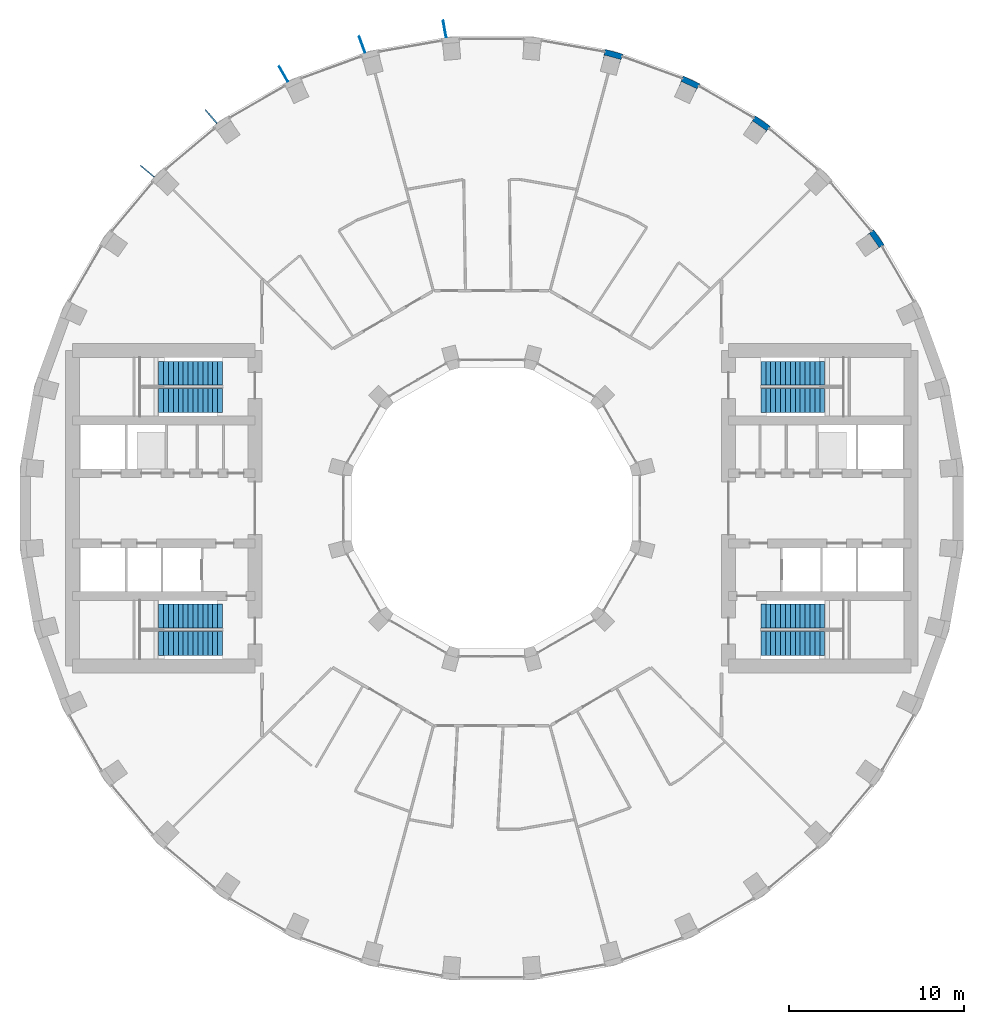
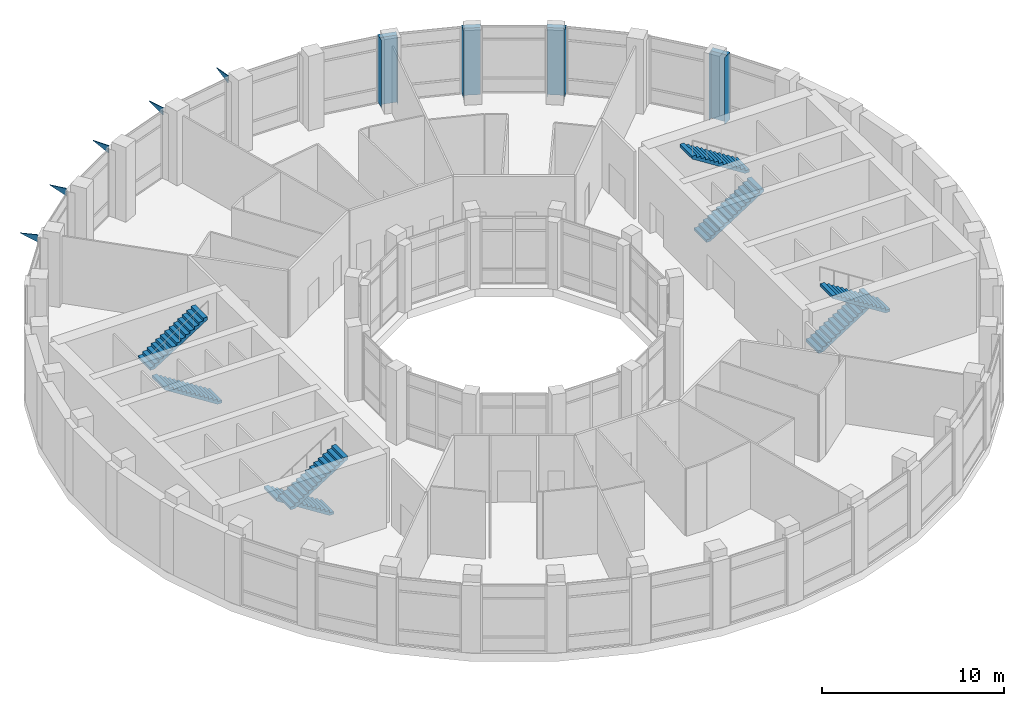
# One storey, part 16 of 18: 8 stair flights, 5 discrete accessories, 4 walls, 4 elements without a shape of their own.
"""IFC4 building model written with IfcOpenShell, lengths in metres."""

from ifc_helpers import new_model, si_unit, direction, frame, origin, place, context, subcontext, project, spatial, polyline, outline, extrude, material, layer, layer_set, type_object, element, aggregate, save


model = new_model("IFC4")

# Units and contexts
model_context = context("Model", 3, precision=1e-05, world=origin(), true_north=direction((0.0, 1.0)))
body_context = subcontext(model_context, "Body", "Model", "MODEL_VIEW")
ifc_project = project(units=[si_unit("LENGTHUNIT", "METRE"), si_unit("AREAUNIT", "SQUARE_METRE"), si_unit("VOLUMEUNIT", "CUBIC_METRE"), si_unit("PLANEANGLEUNIT", "RADIAN"), si_unit("MASSUNIT", "GRAM", prefix="KILO")], contexts=[model_context])

# Site, building, storey
site_placement = place(None, origin())
site = spatial("IfcSite", under=ifc_project, at=site_placement, CompositionType="ELEMENT")
building_placement = place(site_placement, origin())
building = spatial("IfcBuilding", under=site, at=building_placement, Name="Saqina Gate Tower", CompositionType="ELEMENT")
storey_placement = place(building_placement, frame((0.0, 0.0, 86.89990234375)))
storey = spatial("IfcBuildingStorey", under=building, at=storey_placement, Name="L24", CompositionType="ELEMENT", Elevation=86.89990234375)

# Walls
ifc_material_1 = material(Name="Brick masonry (buff)", Category="masonry")
wall_type = type_object("IfcWallType", Name="BRICK PIER COPING BUFF", PredefinedType="SOLIDWALL", material=ifc_material_1)
wall_1_placement = place(storey_placement, origin())
element("IfcWall", 1, at=wall_1_placement, inside=storey, type_object=wall_type, Name="Pier cap L24 column 4", PredefinedType="SOLIDWALL", context=body_context, shape_type="SweptSolid", body=[
    extrude(outline(polyline([(21.77685546875, 15.89208984375), (21.317138671875, 15.50634765625), (21.53759765625, 15.66064453125), (22.08251953125, 14.88232421875), (21.862060546875, 14.728271484375), (22.3818359375, 15.0283203125), (21.77685546875, 15.89208984375)])), origin(), (0.0, 0.0, 1.0), 4.5),
])
wall_2_placement = place(storey_placement, origin())
element("IfcWall", 2, at=wall_2_placement, inside=storey, type_object=wall_type, Name="Pier cap L24 column 6", PredefinedType="SOLIDWALL", context=body_context, shape_type="SweptSolid", body=[
    extrude(outline(polyline([(15.0283203125, 22.3818359375), (14.728271484375, 21.862060546875), (14.88232421875, 22.08251953125), (15.66064453125, 21.53759765625), (15.50634765625, 21.317138671875), (15.89208984375, 21.77685546875), (15.0283203125, 22.3818359375)])), origin(), (0.0, 0.0, 1.0), 4.5),
])
wall_3_placement = place(storey_placement, origin())
element("IfcWall", 3, at=wall_3_placement, inside=storey, type_object=wall_type, Name="Pier cap L24 column 7", PredefinedType="SOLIDWALL", context=body_context, shape_type="SweptSolid", body=[
    extrude(outline(polyline([(10.913330078125, 24.6513671875), (10.7080078125, 24.08740234375), (10.82177734375, 24.331298828125), (11.6826171875, 23.9296875), (11.569091796875, 23.68603515625), (11.869140625, 24.205810546875), (10.913330078125, 24.6513671875)])), origin(), (0.0, 0.0, 1.0), 4.5),
])
wall_4_placement = place(storey_placement, origin())
element("IfcWall", 4, at=wall_4_placement, inside=storey, type_object=wall_type, Name="Pier cap L24 column 8", PredefinedType="SOLIDWALL", context=body_context, shape_type="SweptSolid", body=[
    extrude(outline(polyline([(7.485595703125, 25.89892578125), (6.466796875, 26.171875), (6.36279296875, 25.5810546875), (6.43212890625, 25.8408203125), (7.349853515625, 25.5947265625), (7.2802734375, 25.335205078125), (7.485595703125, 25.89892578125)])), origin(), (0.0, 0.0, 1.0), 4.5),
])

# Stair, stair flights
ifc_material_2 = material(Name="Concrete C40/50", Category="concrete")
stair_type = type_object("IfcStairType", Name="EXIT STAIR", PredefinedType="HALF_TURN_STAIR", material=ifc_material_2)
stair_1_placement = place(storey_placement, origin())
stair_1 = element("IfcStair", 5, at=stair_1_placement, inside=storey, type_object=stair_type, Name="EXIT STAIR 1", PredefinedType="HALF_TURN_STAIR")
ifc_material_3 = material(Name="Concrete C40/50", Category="concrete")
stair_flight_type = type_object("IfcStairFlightType", Name="EXIT STAIR FLIGHT", PredefinedType="STRAIGHT", material=ifc_material_3)
stair_flight_1_placement = place(storey_placement, frame((15.35009765625, 6.1416015625, 0.0), z_axis=(0.0, 0.0, 1.0), x_axis=(1.0, 0.0, 0.0)))
stair_flight_1 = element("IfcStairFlight", 6, at=stair_flight_1_placement, type_object=stair_flight_type, Name="EXIT STAIR 1 FLIGHT 1", NumberOfRisers=14, NumberOfTreads=13, PredefinedType="STRAIGHT", RiserHeight=0.178571429, TreadLength=0.28, context=body_context, shape_type="SweptSolid", body=[
    extrude(outline(polyline([(0.0, 0.0), (0.0, 0.178466796875), (0.280029296875, 0.178466796875), (0.280029296875, 0.357177734375), (0.56005859375, 0.357177734375), (0.56005859375, 0.53564453125), (0.840087890625, 0.53564453125), (0.840087890625, 0.71435546875), (1.1201171875, 0.71435546875), (1.1201171875, 0.892822265625), (1.39990234375, 0.892822265625), (1.39990234375, 1.071533203125), (1.679931640625, 1.071533203125), (1.679931640625, 1.25), (1.9599609375, 1.25), (1.9599609375, 1.428466796875), (2.239990234375, 1.428466796875), (2.239990234375, 1.607177734375), (2.52001953125, 1.607177734375), (2.52001953125, 1.78564453125), (2.800048828125, 1.78564453125), (2.800048828125, 1.96435546875), (3.080078125, 1.96435546875), (3.080078125, 2.142822265625), (3.360107421875, 2.142822265625), (3.360107421875, 2.321533203125), (3.639892578125, 2.321533203125), (3.639892578125, 2.5), (3.639892578125, 2.1435546875), (0.27880859375, 0.0), (0.0, 0.0)])), frame((0.0, 0.675048828125, 0.0), z_axis=(0.0, -1.0, 0.0), x_axis=(1.0, 0.0, 0.0)), (0.0, 0.0, 1.0), 1.35009765625),
])
stair_flight_2_placement = place(storey_placement, frame((18.989990234375, 7.708251953125, 2.5), z_axis=(0.0, 0.0, 1.0), x_axis=(-1.0, 0.0, 0.0)))
stair_flight_2 = element("IfcStairFlight", 7, at=stair_flight_2_placement, type_object=stair_flight_type, Name="EXIT STAIR 1 FLIGHT 2", NumberOfRisers=14, NumberOfTreads=13, PredefinedType="STRAIGHT", RiserHeight=0.178571429, TreadLength=0.28, context=body_context, shape_type="SweptSolid", body=[
    extrude(outline(polyline([(0.0, 0.0), (0.0, 0.178466796875), (0.280029296875, 0.178466796875), (0.280029296875, 0.357177734375), (0.56005859375, 0.357177734375), (0.56005859375, 0.53564453125), (0.840087890625, 0.53564453125), (0.840087890625, 0.71435546875), (1.1201171875, 0.71435546875), (1.1201171875, 0.892822265625), (1.39990234375, 0.892822265625), (1.39990234375, 1.071533203125), (1.679931640625, 1.071533203125), (1.679931640625, 1.25), (1.9599609375, 1.25), (1.9599609375, 1.428466796875), (2.239990234375, 1.428466796875), (2.239990234375, 1.607177734375), (2.52001953125, 1.607177734375), (2.52001953125, 1.78564453125), (2.800048828125, 1.78564453125), (2.800048828125, 1.96435546875), (3.080078125, 1.96435546875), (3.080078125, 2.142822265625), (3.360107421875, 2.142822265625), (3.360107421875, 2.321533203125), (3.639892578125, 2.321533203125), (3.639892578125, 2.5), (3.639892578125, 2.1435546875), (0.27880859375, 0.0), (0.0, 0.0)])), frame((0.0, 0.675048828125, 0.0), z_axis=(0.0, -1.0, 0.0), x_axis=(1.0, 0.0, 0.0)), (0.0, 0.0, 1.0), 1.35009765625),
])
aggregate(stair_1, [stair_flight_1, stair_flight_2])

stair_2_placement = place(storey_placement, origin())
stair_2 = element("IfcStair", 8, at=stair_2_placement, inside=storey, type_object=stair_type, Name="EXIT STAIR 2", PredefinedType="HALF_TURN_STAIR")
stair_flight_3_placement = place(storey_placement, frame((15.35009765625, -6.1416015625, 0.0), z_axis=(0.0, 0.0, 1.0), x_axis=(1.0, 0.0, 0.0)))
stair_flight_3 = element("IfcStairFlight", 9, at=stair_flight_3_placement, type_object=stair_flight_type, Name="EXIT STAIR 2 FLIGHT 1", NumberOfRisers=14, NumberOfTreads=13, PredefinedType="STRAIGHT", RiserHeight=0.178571429, TreadLength=0.28, context=body_context, shape_type="SweptSolid", body=[
    extrude(outline(polyline([(0.0, 0.0), (0.0, 0.178466796875), (0.280029296875, 0.178466796875), (0.280029296875, 0.357177734375), (0.56005859375, 0.357177734375), (0.56005859375, 0.53564453125), (0.840087890625, 0.53564453125), (0.840087890625, 0.71435546875), (1.1201171875, 0.71435546875), (1.1201171875, 0.892822265625), (1.39990234375, 0.892822265625), (1.39990234375, 1.071533203125), (1.679931640625, 1.071533203125), (1.679931640625, 1.25), (1.9599609375, 1.25), (1.9599609375, 1.428466796875), (2.239990234375, 1.428466796875), (2.239990234375, 1.607177734375), (2.52001953125, 1.607177734375), (2.52001953125, 1.78564453125), (2.800048828125, 1.78564453125), (2.800048828125, 1.96435546875), (3.080078125, 1.96435546875), (3.080078125, 2.142822265625), (3.360107421875, 2.142822265625), (3.360107421875, 2.321533203125), (3.639892578125, 2.321533203125), (3.639892578125, 2.5), (3.639892578125, 2.1435546875), (0.27880859375, 0.0), (0.0, 0.0)])), frame((0.0, 0.675048828125, 0.0), z_axis=(0.0, -1.0, 0.0), x_axis=(1.0, 0.0, 0.0)), (0.0, 0.0, 1.0), 1.35009765625),
])
stair_flight_4_placement = place(storey_placement, frame((18.989990234375, -7.708251953125, 2.5), z_axis=(0.0, 0.0, 1.0), x_axis=(-1.0, 0.0, 0.0)))
stair_flight_4 = element("IfcStairFlight", 10, at=stair_flight_4_placement, type_object=stair_flight_type, Name="EXIT STAIR 2 FLIGHT 2", NumberOfRisers=14, NumberOfTreads=13, PredefinedType="STRAIGHT", RiserHeight=0.178571429, TreadLength=0.28, context=body_context, shape_type="SweptSolid", body=[
    extrude(outline(polyline([(0.0, 0.0), (0.0, 0.178466796875), (0.280029296875, 0.178466796875), (0.280029296875, 0.357177734375), (0.56005859375, 0.357177734375), (0.56005859375, 0.53564453125), (0.840087890625, 0.53564453125), (0.840087890625, 0.71435546875), (1.1201171875, 0.71435546875), (1.1201171875, 0.892822265625), (1.39990234375, 0.892822265625), (1.39990234375, 1.071533203125), (1.679931640625, 1.071533203125), (1.679931640625, 1.25), (1.9599609375, 1.25), (1.9599609375, 1.428466796875), (2.239990234375, 1.428466796875), (2.239990234375, 1.607177734375), (2.52001953125, 1.607177734375), (2.52001953125, 1.78564453125), (2.800048828125, 1.78564453125), (2.800048828125, 1.96435546875), (3.080078125, 1.96435546875), (3.080078125, 2.142822265625), (3.360107421875, 2.142822265625), (3.360107421875, 2.321533203125), (3.639892578125, 2.321533203125), (3.639892578125, 2.5), (3.639892578125, 2.1435546875), (0.27880859375, 0.0), (0.0, 0.0)])), frame((0.0, 0.675048828125, 0.0), z_axis=(0.0, -1.0, 0.0), x_axis=(1.0, 0.0, 0.0)), (0.0, 0.0, 1.0), 1.35009765625),
])
aggregate(stair_2, [stair_flight_3, stair_flight_4])

stair_3_placement = place(storey_placement, origin())
stair_3 = element("IfcStair", 11, at=stair_3_placement, inside=storey, type_object=stair_type, Name="EXIT STAIR 3", PredefinedType="HALF_TURN_STAIR")
stair_flight_5_placement = place(storey_placement, frame((-15.35009765625, 6.1416015625, 0.0), z_axis=(0.0, 0.0, 1.0), x_axis=(-1.0, 0.0, 0.0)))
stair_flight_5 = element("IfcStairFlight", 12, at=stair_flight_5_placement, type_object=stair_flight_type, Name="EXIT STAIR 3 FLIGHT 1", NumberOfRisers=14, NumberOfTreads=13, PredefinedType="STRAIGHT", RiserHeight=0.178571429, TreadLength=0.28, context=body_context, shape_type="SweptSolid", body=[
    extrude(outline(polyline([(0.0, 0.0), (0.0, 0.178466796875), (0.280029296875, 0.178466796875), (0.280029296875, 0.357177734375), (0.56005859375, 0.357177734375), (0.56005859375, 0.53564453125), (0.840087890625, 0.53564453125), (0.840087890625, 0.71435546875), (1.1201171875, 0.71435546875), (1.1201171875, 0.892822265625), (1.39990234375, 0.892822265625), (1.39990234375, 1.071533203125), (1.679931640625, 1.071533203125), (1.679931640625, 1.25), (1.9599609375, 1.25), (1.9599609375, 1.428466796875), (2.239990234375, 1.428466796875), (2.239990234375, 1.607177734375), (2.52001953125, 1.607177734375), (2.52001953125, 1.78564453125), (2.800048828125, 1.78564453125), (2.800048828125, 1.96435546875), (3.080078125, 1.96435546875), (3.080078125, 2.142822265625), (3.360107421875, 2.142822265625), (3.360107421875, 2.321533203125), (3.639892578125, 2.321533203125), (3.639892578125, 2.5), (3.639892578125, 2.1435546875), (0.27880859375, 0.0), (0.0, 0.0)])), frame((0.0, 0.675048828125, 0.0), z_axis=(0.0, -1.0, 0.0), x_axis=(1.0, 0.0, 0.0)), (0.0, 0.0, 1.0), 1.35009765625),
])
stair_flight_6_placement = place(storey_placement, frame((-18.989990234375, 7.708251953125, 2.5), z_axis=(0.0, 0.0, 1.0), x_axis=(1.0, 0.0, 0.0)))
stair_flight_6 = element("IfcStairFlight", 13, at=stair_flight_6_placement, type_object=stair_flight_type, Name="EXIT STAIR 3 FLIGHT 2", NumberOfRisers=14, NumberOfTreads=13, PredefinedType="STRAIGHT", RiserHeight=0.178571429, TreadLength=0.28, context=body_context, shape_type="SweptSolid", body=[
    extrude(outline(polyline([(0.0, 0.0), (0.0, 0.178466796875), (0.280029296875, 0.178466796875), (0.280029296875, 0.357177734375), (0.56005859375, 0.357177734375), (0.56005859375, 0.53564453125), (0.840087890625, 0.53564453125), (0.840087890625, 0.71435546875), (1.1201171875, 0.71435546875), (1.1201171875, 0.892822265625), (1.39990234375, 0.892822265625), (1.39990234375, 1.071533203125), (1.679931640625, 1.071533203125), (1.679931640625, 1.25), (1.9599609375, 1.25), (1.9599609375, 1.428466796875), (2.239990234375, 1.428466796875), (2.239990234375, 1.607177734375), (2.52001953125, 1.607177734375), (2.52001953125, 1.78564453125), (2.800048828125, 1.78564453125), (2.800048828125, 1.96435546875), (3.080078125, 1.96435546875), (3.080078125, 2.142822265625), (3.360107421875, 2.142822265625), (3.360107421875, 2.321533203125), (3.639892578125, 2.321533203125), (3.639892578125, 2.5), (3.639892578125, 2.1435546875), (0.27880859375, 0.0), (0.0, 0.0)])), frame((0.0, 0.675048828125, 0.0), z_axis=(0.0, -1.0, 0.0), x_axis=(1.0, 0.0, 0.0)), (0.0, 0.0, 1.0), 1.35009765625),
])
aggregate(stair_3, [stair_flight_5, stair_flight_6])

stair_4_placement = place(storey_placement, origin())
stair_4 = element("IfcStair", 14, at=stair_4_placement, inside=storey, type_object=stair_type, Name="EXIT STAIR 4", PredefinedType="HALF_TURN_STAIR")
stair_flight_7_placement = place(storey_placement, frame((-15.35009765625, -6.1416015625, 0.0), z_axis=(0.0, 0.0, 1.0), x_axis=(-1.0, 0.0, 0.0)))
stair_flight_7 = element("IfcStairFlight", 15, at=stair_flight_7_placement, type_object=stair_flight_type, Name="EXIT STAIR 4 FLIGHT 1", NumberOfRisers=14, NumberOfTreads=13, PredefinedType="STRAIGHT", RiserHeight=0.178571429, TreadLength=0.28, context=body_context, shape_type="SweptSolid", body=[
    extrude(outline(polyline([(0.0, 0.0), (0.0, 0.178466796875), (0.280029296875, 0.178466796875), (0.280029296875, 0.357177734375), (0.56005859375, 0.357177734375), (0.56005859375, 0.53564453125), (0.840087890625, 0.53564453125), (0.840087890625, 0.71435546875), (1.1201171875, 0.71435546875), (1.1201171875, 0.892822265625), (1.39990234375, 0.892822265625), (1.39990234375, 1.071533203125), (1.679931640625, 1.071533203125), (1.679931640625, 1.25), (1.9599609375, 1.25), (1.9599609375, 1.428466796875), (2.239990234375, 1.428466796875), (2.239990234375, 1.607177734375), (2.52001953125, 1.607177734375), (2.52001953125, 1.78564453125), (2.800048828125, 1.78564453125), (2.800048828125, 1.96435546875), (3.080078125, 1.96435546875), (3.080078125, 2.142822265625), (3.360107421875, 2.142822265625), (3.360107421875, 2.321533203125), (3.639892578125, 2.321533203125), (3.639892578125, 2.5), (3.639892578125, 2.1435546875), (0.27880859375, 0.0), (0.0, 0.0)])), frame((0.0, 0.675048828125, 0.0), z_axis=(0.0, -1.0, 0.0), x_axis=(1.0, 0.0, 0.0)), (0.0, 0.0, 1.0), 1.35009765625),
])
stair_flight_8_placement = place(storey_placement, frame((-18.989990234375, -7.708251953125, 2.5), z_axis=(0.0, 0.0, 1.0), x_axis=(1.0, 0.0, 0.0)))
stair_flight_8 = element("IfcStairFlight", 16, at=stair_flight_8_placement, type_object=stair_flight_type, Name="EXIT STAIR 4 FLIGHT 2", NumberOfRisers=14, NumberOfTreads=13, PredefinedType="STRAIGHT", RiserHeight=0.178571429, TreadLength=0.28, context=body_context, shape_type="SweptSolid", body=[
    extrude(outline(polyline([(0.0, 0.0), (0.0, 0.178466796875), (0.280029296875, 0.178466796875), (0.280029296875, 0.357177734375), (0.56005859375, 0.357177734375), (0.56005859375, 0.53564453125), (0.840087890625, 0.53564453125), (0.840087890625, 0.71435546875), (1.1201171875, 0.71435546875), (1.1201171875, 0.892822265625), (1.39990234375, 0.892822265625), (1.39990234375, 1.071533203125), (1.679931640625, 1.071533203125), (1.679931640625, 1.25), (1.9599609375, 1.25), (1.9599609375, 1.428466796875), (2.239990234375, 1.428466796875), (2.239990234375, 1.607177734375), (2.52001953125, 1.607177734375), (2.52001953125, 1.78564453125), (2.800048828125, 1.78564453125), (2.800048828125, 1.96435546875), (3.080078125, 1.96435546875), (3.080078125, 2.142822265625), (3.360107421875, 2.142822265625), (3.360107421875, 2.321533203125), (3.639892578125, 2.321533203125), (3.639892578125, 2.5), (3.639892578125, 2.1435546875), (0.27880859375, 0.0), (0.0, 0.0)])), frame((0.0, 0.675048828125, 0.0), z_axis=(0.0, -1.0, 0.0), x_axis=(1.0, 0.0, 0.0)), (0.0, 0.0, 1.0), 1.35009765625),
])
aggregate(stair_4, [stair_flight_7, stair_flight_8])

# Discrete accessories
ifc_material_4 = material(Name="Galvanised steel", Category="steel")
ifc_layer = layer(ifc_material_4, 0.050048828125)
ifc_layer_set = layer_set([ifc_layer], Name="BR-GUSSET")
discrete_accessory_type = type_object("IfcDiscreteAccessoryType", Name="BR-GUSSET", PredefinedType="BRACKET", material=ifc_layer_set)
discrete_accessory_1_placement = place(storey_placement, frame((-2.6240234375, 26.849609375, 4.0), z_axis=(-0.984813043937, -0.173618168668, 0.0), x_axis=(0.0, 0.0, 1.0)))
element("IfcDiscreteAccessory", 17, at=discrete_accessory_1_placement, inside=storey, type_object=discrete_accessory_type, Name="Terrace slab bracket L25 1", PredefinedType="BRACKET", context=body_context, shape_type="SweptSolid", body=[
    extrude(outline(polyline([(0.0, 0.0), (0.5, 0.0), (0.5, 0.9998031064747768), (0.0, 0.0)])), origin(), (0.0, 0.0, -1.0), 0.050048828125),
])
discrete_accessory_2_placement = place(storey_placement, frame((-7.24658203125, 25.98583984375, 4.0), z_axis=(-0.939764905391, -0.341821477669, 0.0), x_axis=(0.0, 0.0, 1.0)))
element("IfcDiscreteAccessory", 18, at=discrete_accessory_2_placement, inside=storey, type_object=discrete_accessory_type, Name="Terrace slab bracket L25 2", PredefinedType="BRACKET", context=body_context, shape_type="SweptSolid", body=[
    extrude(outline(polyline([(0.0, 0.0), (0.5, 0.0), (0.5, 0.999928024801219), (0.0, 0.0)])), origin(), (0.0, 0.0, -1.0), 0.050048828125),
])
discrete_accessory_3_placement = place(storey_placement, frame((-11.648681640625, 24.332763671875, 4.0), z_axis=(-0.866010750942, -0.50002537861, 0.0), x_axis=(0.0, 0.0, 1.0)))
element("IfcDiscreteAccessory", 19, at=discrete_accessory_3_placement, inside=storey, type_object=discrete_accessory_type, Name="Terrace slab bracket L25 3", PredefinedType="BRACKET", context=body_context, shape_type="SweptSolid", body=[
    extrude(outline(polyline([(0.0, 0.0), (0.5, 0.0), (0.5, 0.9999492453569568), (0.0, 0.0)])), origin(), (0.0, 0.0, -1.0), 0.050048828125),
])
for number, where, z_axis, x_axis, name in (
    (20, (-15.697265625, 21.940185546875, 4.0), (-0.766055819685, -0.64277405138, 0.0), (0.0, 0.0, 1.0), "Terrace slab bracket L25 4"),
    (21, (-19.2685546875, 18.881103515625, 4.0), (-0.64277405138, -0.766055819685, 0.0), (0.0, 0.0, 1.0), "Terrace slab bracket L25 5"),
):
    element("IfcDiscreteAccessory", number, at=place(storey_placement, frame(where, z_axis=z_axis, x_axis=x_axis)), inside=storey, type_object=discrete_accessory_type, Name=name, PredefinedType="BRACKET", context=body_context, shape_type="SweptSolid", body=[
        extrude(outline(polyline([(0.0, 0.0), (0.5, 0.0), (0.5, 1.0000750096322275), (0.0, 0.0)])), origin(), (0.0, 0.0, -1.0), 0.050048828125),
    ])

save(model, "model.ifc")
